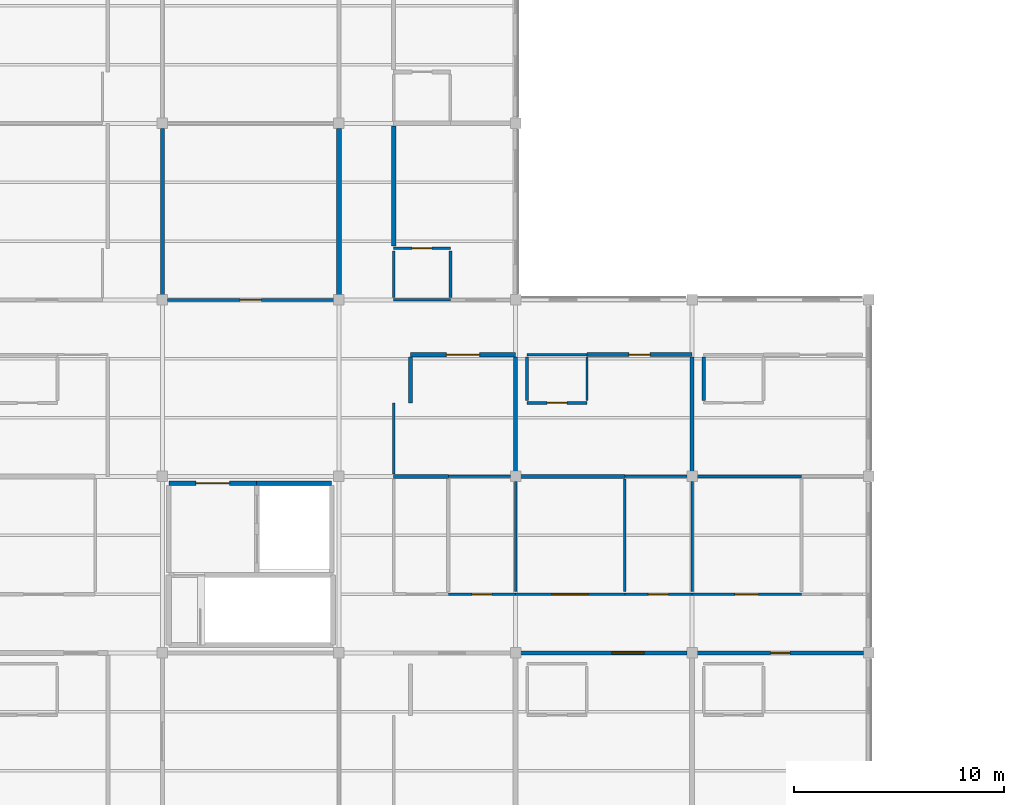
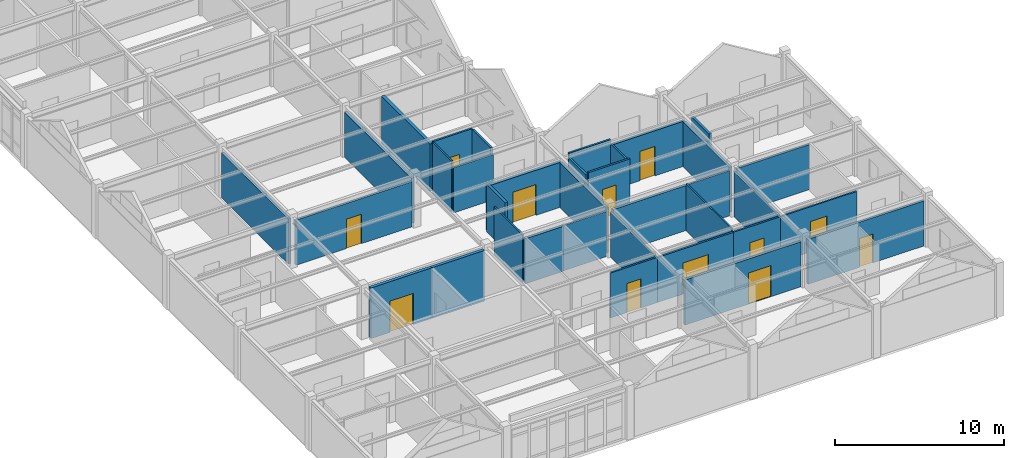
# One storey, part 34 of 45: 35 walls, 12 doors, 12 openings.
"""IFC4 building model written with IfcOpenShell, lengths in metres."""

from ifc_helpers import new_model, si_unit, direction, frame, frame_2d, origin, place, context, subcontext, project, spatial, rectangle, extrude, material, layer, layer_set, type_object, element, fill, save


model = new_model("IFC4")

# Units and contexts
model_context = context("Model", 3, precision=1e-05, world=origin(), true_north=direction((0.0, 1.0)))
body_context = subcontext(model_context, "Body", "Model", "MODEL_VIEW")
ifc_project = project(units=[si_unit("LENGTHUNIT", "METRE"), si_unit("AREAUNIT", "SQUARE_METRE"), si_unit("VOLUMEUNIT", "CUBIC_METRE"), si_unit("PLANEANGLEUNIT", "RADIAN"), si_unit("MASSUNIT", "GRAM", prefix="KILO")], contexts=[model_context])

# Site, building, storey
site_placement = place(None, origin())
site = spatial("IfcSite", under=ifc_project, at=site_placement, CompositionType="ELEMENT")
building_placement = place(site_placement, origin())
building = spatial("IfcBuilding", under=site, at=building_placement, Name="Bramfleet General Hospital", CompositionType="ELEMENT")
storey_placement = place(building_placement, frame((0.0, 0.0, 30.300048828125)))
storey = spatial("IfcBuildingStorey", under=building, at=storey_placement, Name="L07", CompositionType="ELEMENT", Elevation=30.300048828125)

# Wall, opening, door
ifc_material_1 = material(Name="Concrete C35/45", Category="concrete")
ifc_layer_1 = layer(ifc_material_1, 0.219970703125, Name="WT-IW-01")
ifc_layer_set_1 = layer_set([ifc_layer_1], Name="Concrete C35/45")
wall_type_1 = type_object("IfcWallType", Name="WT-IW-01", PredefinedType="PARTITIONING", material=ifc_layer_set_1)
wall_1_placement = place(storey_placement, frame((112.60009765625, 22.60009765625, 0.0), z_axis=(0.0, 0.0, 1.0), x_axis=(1.0, 0.0, 0.0)))
wall_1 = element("IfcWall", 1, at=wall_1_placement, inside=storey, type_object=wall_type_1, Name="L07 Interior Partition IW-L07-4153", PredefinedType="PARTITIONING", context=body_context, shape_type="SweptSolid", body=[
    extrude(rectangle(XDim=5.0, YDim=0.219970703125, at=frame_2d((2.5, 0.0))), origin(), (0.0, 0.0, 1.0), 3.25),
])
opening_1_placement = place(wall_1_placement, frame((1.7099609375, 0.0, 0.0)))
opening_1 = element("IfcOpeningElement", 2, at=opening_1_placement, cuts=wall_1, Name="Opening D1568", PredefinedType="OPENING", context=body_context, shape_type="SweptSolid", body=[
    extrude(rectangle(XDim=1.580078125, YDim=2.219970703125, at=frame_2d((0.7900390625, 1.10986328125))), frame((0.0, 0.119873046875, 0.0), z_axis=(0.0, -1.0, 0.0), x_axis=(1.0, 0.0, 0.0)), (0.0, 0.0, 1.0), 0.239990234375),
])
ifc_material_2 = material(Name="Stainless steel and acoustic timber leaf", Category="steel")
door_type_1 = type_object("IfcDoorType", Name="DR-D-32", OperationType="NOTDEFINED", PredefinedType="DOOR", material=ifc_material_2)
door_1_placement = place(opening_1_placement, origin())
door_1 = element("IfcDoor", 3, at=door_1_placement, inside=storey, type_object=door_type_1, Name="Gabled Patient House PH-06 Bedroom 1302 Door D1568", OperationType="DOUBLE_SWING_LEFT", OverallHeight=2.219970703125, OverallWidth=1.580078125, PredefinedType="DOOR", context=body_context, shape_type="SweptSolid", body=[
    extrude(rectangle(XDim=1.580078125, YDim=2.219970703125, at=frame_2d((0.7900390625, 1.10986328125))), frame((0.0, 0.02490234375, 0.0), z_axis=(0.0, -1.0, 0.0), x_axis=(1.0, 0.0, 0.0)), (0.0, 0.0, 1.0), 0.050048828125),
])
fill(opening_1, door_1)

# Walls
wall_2_placement = place(storey_placement, frame((109.199951171875, 25.445068359375, 0.0), z_axis=(0.0, 0.0, 1.0), x_axis=(0.0, 1.0, 0.0)))
element("IfcWall", 4, at=wall_2_placement, inside=storey, type_object=wall_type_1, Name="L07 Interior Partition IW-L07-4297", PredefinedType="PARTITIONING", context=body_context, shape_type="SweptSolid", body=[
    extrude(rectangle(XDim=7.909912109375, YDim=0.219970703125, at=frame_2d((3.955078125, 0.0))), origin(), (0.0, 0.0, 1.0), 3.25),
])
wall_3_placement = place(storey_placement, frame((111.800048828125, 27.764892578125, 0.0), z_axis=(0.0, 0.0, 1.0), x_axis=(0.0, 1.0, 0.0)))
element("IfcWall", 5, at=wall_3_placement, inside=storey, type_object=wall_type_1, Name="L07 Interior Partition IW-L07-4309", PredefinedType="PARTITIONING", context=body_context, shape_type="SweptSolid", body=[
    extrude(rectangle(XDim=5.72021484375, YDim=0.219970703125, at=frame_2d((2.860107421875, 0.0))), origin(), (0.0, 0.0, 1.0), 3.409912109375),
])
ifc_layer_2 = layer(ifc_material_1, 0.205078125, Name="WT-IW-02")
ifc_layer_set_2 = layer_set([ifc_layer_2], Name="Concrete C35/45")
wall_type_2 = type_object("IfcWallType", Name="WT-IW-02", PredefinedType="PARTITIONING", material=ifc_layer_set_2)
wall_4_placement = place(storey_placement, frame((105.280029296875, 16.47998046875, 0.0), z_axis=(0.0, 0.0, 1.0), x_axis=(1.0, 0.0, 0.0)))
element("IfcWall", 6, at=wall_4_placement, inside=storey, type_object=wall_type_2, Name="L07 C3 Lift Shaft North Wall", PredefinedType="PARTITIONING", context=body_context, shape_type="SweptSolid", body=[
    extrude(rectangle(XDim=3.570068359375, YDim=0.205078125, at=frame_2d((1.78515625, 0.0))), origin(), (0.0, 0.0, 1.0), 3.64990234375),
])

# Wall, opening, door
wall_5_placement = place(storey_placement, frame((101.10009765625, 16.47998046875, 0.0), z_axis=(0.0, 0.0, 1.0), x_axis=(1.0, 0.0, 0.0)))
wall_5 = element("IfcWall", 7, at=wall_5_placement, inside=storey, type_object=wall_type_2, Name="L07 C3 Lobby North Compartment Wall", PredefinedType="PARTITIONING", context=body_context, shape_type="SweptSolid", body=[
    extrude(rectangle(XDim=4.179931640625, YDim=0.205078125, at=frame_2d((2.08984375, 0.0))), origin(), (0.0, 0.0, 1.0), 3.64990234375),
])
opening_2_placement = place(wall_5_placement, frame((1.2900390625, 0.0, 0.0)))
opening_2 = element("IfcOpeningElement", 8, at=opening_2_placement, cuts=wall_5, Name="Opening D0036", PredefinedType="OPENING", context=body_context, shape_type="SweptSolid", body=[
    extrude(rectangle(XDim=1.60009765625, YDim=2.25, at=frame_2d((0.800048828125, 1.125))), frame((0.0, 0.112548828125, 0.0), z_axis=(0.0, -1.0, 0.0), x_axis=(1.0, 0.0, 0.0)), (0.0, 0.0, 1.0), 0.22509765625),
])
door_type_2 = type_object("IfcDoorType", Name="DR-D-04", OperationType="NOTDEFINED", PredefinedType="DOOR", material=ifc_material_2)
door_2_placement = place(opening_2_placement, origin())
door_2 = element("IfcDoor", 9, at=door_2_placement, inside=storey, type_object=door_type_2, Name="L07 C3 Lobby Fire Door D0036", OperationType="DOUBLE_SWING_LEFT", OverallHeight=2.25, OverallWidth=1.60009765625, PredefinedType="DOOR", context=body_context, shape_type="SweptSolid", body=[
    extrude(rectangle(XDim=1.60009765625, YDim=2.25, at=frame_2d((0.800048828125, 1.125))), frame((0.0, 0.02490234375, 0.0), z_axis=(0.0, -1.0, 0.0), x_axis=(1.0, 0.0, 0.0)), (0.0, 0.0, 1.0), 0.050048828125),
])
fill(opening_2, door_2)

# Wall
wall_6_placement = place(storey_placement, frame((111.800048828125, 16.800048828125, 0.0), z_axis=(0.0, 0.0, 1.0), x_axis=(1.0, 0.0, 0.0)))
element("IfcWall", 10, at=wall_6_placement, inside=storey, type_object=wall_type_2, Name="L07 Interior Partition IW-L07-4142", PredefinedType="PARTITIONING", context=body_context, shape_type="SweptSolid", body=[
    extrude(rectangle(XDim=2.599853515625, YDim=0.205078125, at=frame_2d((1.2998046875, 0.0))), origin(), (0.0, 0.0, 1.0), 3.25),
])

# Wall, opening, door
ifc_layer_3 = layer(ifc_material_1, 0.18994140625, Name="WT-IW-03")
ifc_layer_set_3 = layer_set([ifc_layer_3], Name="Concrete C35/45")
wall_type_3 = type_object("IfcWallType", Name="WT-IW-03", PredefinedType="PARTITIONING", material=ifc_layer_set_3)
wall_7_placement = place(storey_placement, frame((121.0, 22.60009765625, 0.0), z_axis=(0.0, 0.0, 1.0), x_axis=(1.0, 0.0, 0.0)))
wall_7 = element("IfcWall", 11, at=wall_7_placement, inside=storey, type_object=wall_type_3, Name="L07 Interior Partition IW-L07-4155", PredefinedType="PARTITIONING", context=body_context, shape_type="SweptSolid", body=[
    extrude(rectangle(XDim=5.0, YDim=0.18994140625, at=frame_2d((2.5, 0.0))), origin(), (0.0, 0.0, 1.0), 3.25),
])
opening_3_placement = place(wall_7_placement, frame((1.989990234375, 0.0, 0.0)))
opening_3 = element("IfcOpeningElement", 12, at=opening_3_placement, cuts=wall_7, Name="Opening D1589", PredefinedType="OPENING", context=body_context, shape_type="SweptSolid", body=[
    extrude(rectangle(XDim=1.02001953125, YDim=2.1201171875, at=frame_2d((0.510009765625, 1.06005859375))), frame((0.0, 0.10498046875, 0.0), z_axis=(0.0, -1.0, 0.0), x_axis=(1.0, 0.0, 0.0)), (0.0, 0.0, 1.0), 0.2099609375),
])
door_type_3 = type_object("IfcDoorType", Name="DR-D-21", OperationType="NOTDEFINED", PredefinedType="DOOR", material=ifc_material_2)
door_3_placement = place(opening_3_placement, origin())
door_3 = element("IfcDoor", 13, at=door_3_placement, inside=storey, type_object=door_type_3, Name="Gabled Patient House PH-07 Bedroom 1402 Door D1589", OperationType="SINGLE_SWING_RIGHT", OverallHeight=2.1201171875, OverallWidth=1.02001953125, PredefinedType="DOOR", context=body_context, shape_type="SweptSolid", body=[
    extrude(rectangle(XDim=1.02001953125, YDim=2.1201171875, at=frame_2d((0.510009765625, 1.06005859375))), frame((0.0, 0.02490234375, 0.0), z_axis=(0.0, -1.0, 0.0), x_axis=(1.0, 0.0, 0.0)), (0.0, 0.0, 1.0), 0.050048828125),
])
fill(opening_3, door_3)

# Walls
for number, where, z_axis, x_axis, name in (
    (14, (117.60009765625, 17.044921875, 0.0), (0.0, 0.0, 1.0), (0.0, 1.0, 0.0), "L07 Interior Partition IW-L07-4335"),
    (15, (126.0, 17.044921875, 0.0), (0.0, 0.0, 1.0), (0.0, 1.0, 0.0), "L07 Interior Partition IW-L07-4347"),
):
    element("IfcWall", number, at=place(storey_placement, frame(where, z_axis=z_axis, x_axis=x_axis)), inside=storey, type_object=wall_type_3, Name=name, PredefinedType="PARTITIONING", context=body_context, shape_type="SweptSolid", body=[
        extrude(rectangle(XDim=5.440185546875, YDim=0.18994140625, at=frame_2d((2.72021484375, 0.0))), origin(), (0.0, 0.0, 1.0), 3.25),
    ])

# Wall, opening, door
ifc_layer_4 = layer(ifc_material_1, 0.179931640625, Name="WT-IW-04")
ifc_layer_set_4 = layer_set([ifc_layer_4], Name="Concrete C35/45")
wall_type_4 = type_object("IfcWallType", Name="WT-IW-04", PredefinedType="PARTITIONING", material=ifc_layer_set_4)
wall_8_placement = place(storey_placement, frame((117.844970703125, 8.39990234375, 0.0), z_axis=(0.0, 0.0, 1.0), x_axis=(1.0, 0.0, 0.0)))
wall_8 = element("IfcWall", 16, at=wall_8_placement, inside=storey, type_object=wall_type_4, Name="L07 Interior Partition IW-L07-4132", PredefinedType="PARTITIONING", context=body_context, shape_type="SweptSolid", body=[
    extrude(rectangle(XDim=7.909912109375, YDim=0.179931640625, at=frame_2d((3.955078125, 0.0))), origin(), (0.0, 0.0, 1.0), 3.25),
])
opening_4_placement = place(wall_8_placement, frame((4.33544921875, 0.0, 0.0)))
opening_4 = element("IfcOpeningElement", 17, at=opening_4_placement, cuts=wall_8, Name="Opening D1585", PredefinedType="OPENING", context=body_context, shape_type="SweptSolid", body=[
    extrude(rectangle(XDim=1.5400390625, YDim=2.239990234375, at=frame_2d((0.77001953125, 1.1201171875))), frame((0.0, 0.099853515625, 0.0), z_axis=(0.0, -1.0, 0.0), x_axis=(1.0, 0.0, 0.0)), (0.0, 0.0, 1.0), 0.199951171875),
])
door_type_4 = type_object("IfcDoorType", Name="DR-D-17", OperationType="NOTDEFINED", PredefinedType="DOOR", material=ifc_material_2)
door_4_placement = place(opening_4_placement, origin())
door_4 = element("IfcDoor", 18, at=door_4_placement, inside=storey, type_object=door_type_4, Name="Gabled Patient House PH-07 Bedroom 1400 Door D1585", OperationType="SINGLE_SWING_RIGHT", OverallHeight=2.239990234375, OverallWidth=1.5400390625, PredefinedType="DOOR", context=body_context, shape_type="SweptSolid", body=[
    extrude(rectangle(XDim=1.5400390625, YDim=2.239990234375, at=frame_2d((0.77001953125, 1.1201171875))), frame((0.0, 0.02490234375, 0.0), z_axis=(0.0, -1.0, 0.0), x_axis=(1.0, 0.0, 0.0)), (0.0, 0.0, 1.0), 0.050048828125),
])
fill(opening_4, door_4)

# Walls
wall_9_placement = place(storey_placement, frame((117.844970703125, 16.800048828125, 0.0), z_axis=(0.0, 0.0, 1.0), x_axis=(1.0, 0.0, 0.0)))
element("IfcWall", 19, at=wall_9_placement, inside=storey, type_object=wall_type_4, Name="L07 Interior Partition IW-L07-4144", PredefinedType="PARTITIONING", context=body_context, shape_type="SweptSolid", body=[
    extrude(rectangle(XDim=4.955078125, YDim=0.179931640625, at=frame_2d((2.4775390625, 0.0))), origin(), (0.0, 0.0, 1.0), 3.25),
])
wall_10_placement = place(storey_placement, frame((100.800048828125, 25.445068359375, 0.0), z_axis=(0.0, 0.0, 1.0), x_axis=(0.0, 1.0, 0.0)))
element("IfcWall", 20, at=wall_10_placement, inside=storey, type_object=wall_type_4, Name="L07 Interior Partition IW-L07-4288", PredefinedType="PARTITIONING", context=body_context, shape_type="SweptSolid", body=[
    extrude(rectangle(XDim=7.909912109375, YDim=0.179931640625, at=frame_2d((3.955078125, 0.0))), origin(), (0.0, 0.0, 1.0), 3.25),
])
wall_11_placement = place(storey_placement, frame((112.60009765625, 20.300048828125, 0.0), z_axis=(0.0, 0.0, 1.0), x_axis=(0.0, 1.0, 0.0)))
element("IfcWall", 21, at=wall_11_placement, inside=storey, type_object=wall_type_4, Name="L07 Interior Partition IW-L07-4324", PredefinedType="PARTITIONING", context=body_context, shape_type="SweptSolid", body=[
    extrude(rectangle(XDim=2.18505859375, YDim=0.179931640625, at=frame_2d((1.092529296875, 0.0))), origin(), (0.0, 0.0, 1.0), 3.409912109375),
])

# Wall, opening, door
ifc_material_3 = material(Name="Gypsum plasterboard on acoustic steel studs", Category="steel")
ifc_layer_5 = layer(ifc_material_3, 0.169921875, Name="WT-IW-05")
ifc_layer_set_5 = layer_set([ifc_layer_5], Name="Gypsum plasterboard on acoustic steel studs")
wall_type_5 = type_object("IfcWallType", Name="WT-IW-05", PredefinedType="PARTITIONING", material=ifc_layer_set_5)
wall_12_placement = place(storey_placement, frame((126.2451171875, 8.39990234375, 0.0), z_axis=(0.0, 0.0, 1.0), x_axis=(1.0, 0.0, 0.0)))
wall_12 = element("IfcWall", 22, at=wall_12_placement, inside=storey, type_object=wall_type_5, Name="L07 Interior Partition IW-L07-4133", PredefinedType="PARTITIONING", context=body_context, shape_type="SweptSolid", body=[
    extrude(rectangle(XDim=7.909912109375, YDim=0.169921875, at=frame_2d((3.955078125, 0.0))), origin(), (0.0, 0.0, 1.0), 3.25),
])
opening_5_placement = place(wall_12_placement, frame((3.4951171875, 0.0, 0.0)))
opening_5 = element("IfcOpeningElement", 23, at=opening_5_placement, cuts=wall_12, Name="Opening D1593", PredefinedType="OPENING", context=body_context, shape_type="SweptSolid", body=[
    extrude(rectangle(XDim=0.919921875, YDim=2.080078125, at=frame_2d((0.4599609375, 1.0400390625))), frame((0.0, 0.094970703125, 0.0), z_axis=(0.0, -1.0, 0.0), x_axis=(1.0, 0.0, 0.0)), (0.0, 0.0, 1.0), 0.18994140625),
])
door_type_5 = type_object("IfcDoorType", Name="DR-D-25", OperationType="NOTDEFINED", PredefinedType="DOOR", material=ifc_material_2)
door_5_placement = place(opening_5_placement, origin())
door_5 = element("IfcDoor", 24, at=door_5_placement, inside=storey, type_object=door_type_5, Name="Gabled Patient House PH-08 Bedroom 1500 Door D1593", OperationType="SINGLE_SWING_RIGHT", OverallHeight=2.080078125, OverallWidth=0.919921875, PredefinedType="DOOR", context=body_context, shape_type="SweptSolid", body=[
    extrude(rectangle(XDim=0.919921875, YDim=2.080078125, at=frame_2d((0.4599609375, 1.0400390625))), frame((0.0, 0.02490234375, 0.0), z_axis=(0.0, -1.0, 0.0), x_axis=(1.0, 0.0, 0.0)), (0.0, 0.0, 1.0), 0.050048828125),
])
fill(opening_5, door_5)

# Walls
wall_13_placement = place(storey_placement, frame((126.550048828125, 20.4150390625, 0.0), z_axis=(0.0, 0.0, 1.0), x_axis=(0.0, 1.0, 0.0)))
element("IfcWall", 25, at=wall_13_placement, inside=storey, type_object=wall_type_5, Name="L07 Interior Partition IW-L07-4349", PredefinedType="PARTITIONING", context=body_context, shape_type="SweptSolid", body=[
    extrude(rectangle(XDim=2.070068359375, YDim=0.169921875, at=frame_2d((1.03515625, 0.0))), origin(), (0.0, 0.0, 1.0), 3.409912109375),
])
ifc_layer_6 = layer(ifc_material_3, 0.159912109375, Name="WT-IW-06")
ifc_layer_set_6 = layer_set([ifc_layer_6], Name="Gypsum plasterboard on acoustic steel studs")
wall_type_6 = type_object("IfcWallType", Name="WT-IW-06", PredefinedType="PARTITIONING", material=ifc_layer_set_6)
wall_14_placement = place(storey_placement, frame((126.2451171875, 16.800048828125, 0.0), z_axis=(0.0, 0.0, 1.0), x_axis=(1.0, 0.0, 0.0)))
element("IfcWall", 26, at=wall_14_placement, inside=storey, type_object=wall_type_6, Name="L07 Interior Partition IW-L07-4146", PredefinedType="PARTITIONING", context=body_context, shape_type="SweptSolid", body=[
    extrude(rectangle(XDim=4.954833984375, YDim=0.159912109375, at=frame_2d((2.4775390625, 0.0))), origin(), (0.0, 0.0, 1.0), 3.25),
])

# Wall, opening, door
ifc_layer_7 = layer(ifc_material_3, 0.14990234375, Name="WT-IW-07")
ifc_layer_set_7 = layer_set([ifc_layer_7], Name="Gypsum plasterboard on acoustic steel studs")
wall_type_7 = type_object("IfcWallType", Name="WT-IW-07", PredefinedType="PARTITIONING", material=ifc_layer_set_7)
wall_15_placement = place(storey_placement, frame((101.044921875, 25.199951171875, 0.0), z_axis=(0.0, 0.0, 1.0), x_axis=(1.0, 0.0, 0.0)))
wall_15 = element("IfcWall", 27, at=wall_15_placement, inside=storey, type_object=wall_type_7, Name="L07 Interior Partition IW-L07-4159", PredefinedType="PARTITIONING", context=body_context, shape_type="SweptSolid", body=[
    extrude(rectangle(XDim=7.91015625, YDim=0.14990234375, at=frame_2d((3.955078125, 0.0))), origin(), (0.0, 0.0, 1.0), 3.25),
])
opening_6_placement = place(wall_15_placement, frame((3.445068359375, 0.0, 0.0)))
opening_6 = element("IfcOpeningElement", 28, at=opening_6_placement, cuts=wall_15, Name="Opening D1557", PredefinedType="OPENING", context=body_context, shape_type="SweptSolid", body=[
    extrude(rectangle(XDim=1.02001953125, YDim=2.1201171875, at=frame_2d((0.510009765625, 1.06005859375))), frame((0.0, 0.0849609375, 0.0), z_axis=(0.0, -1.0, 0.0), x_axis=(1.0, 0.0, 0.0)), (0.0, 0.0, 1.0), 0.169921875),
])
door_6_placement = place(opening_6_placement, origin())
door_6 = element("IfcDoor", 29, at=door_6_placement, inside=storey, type_object=door_type_3, Name="Patient House Clean Support Room L07-1203 Door D1557", OperationType="SINGLE_SWING_RIGHT", OverallHeight=2.1201171875, OverallWidth=1.02001953125, PredefinedType="DOOR", context=body_context, shape_type="SweptSolid", body=[
    extrude(rectangle(XDim=1.02001953125, YDim=2.1201171875, at=frame_2d((0.510009765625, 1.06005859375))), frame((0.0, 0.02490234375, 0.0), z_axis=(0.0, -1.0, 0.0), x_axis=(1.0, 0.0, 0.0)), (0.0, 0.0, 1.0), 0.050048828125),
])
fill(opening_6, door_6)

# Wall
ifc_layer_8 = layer(ifc_material_3, 0.139892578125, Name="WT-IW-08")
ifc_layer_set_8 = layer_set([ifc_layer_8], Name="Gypsum plasterboard on acoustic steel studs")
wall_type_8 = type_object("IfcWallType", Name="WT-IW-08", PredefinedType="PARTITIONING", material=ifc_layer_set_8)
wall_16_placement = place(storey_placement, frame((114.5, 25.31494140625, 0.0), z_axis=(0.0, 0.0, 1.0), x_axis=(0.0, 1.0, 0.0)))
element("IfcWall", 30, at=wall_16_placement, inside=storey, type_object=wall_type_8, Name="L07 Interior Partition IW-L07-4328", PredefinedType="PARTITIONING", context=body_context, shape_type="SweptSolid", body=[
    extrude(rectangle(XDim=2.219970703125, YDim=0.139892578125, at=frame_2d((1.10986328125, 0.0))), origin(), (0.0, 0.0, 1.0), 3.64990234375),
])

# Wall, opening, door
ifc_layer_9 = layer(ifc_material_3, 0.1298828125, Name="WT-IW-09")
ifc_layer_set_9 = layer_set([ifc_layer_9], Name="Gypsum plasterboard on acoustic steel studs")
wall_type_9 = type_object("IfcWallType", Name="WT-IW-09", PredefinedType="PARTITIONING", material=ifc_layer_set_9)
wall_17_placement = place(storey_placement, frame((117.60009765625, 11.199951171875, 0.0), z_axis=(0.0, 0.0, 1.0), x_axis=(1.0, 0.0, 0.0)))
wall_17 = element("IfcWall", 31, at=wall_17_placement, inside=storey, type_object=wall_type_9, Name="L07 Interior Partition IW-L07-4137", PredefinedType="PARTITIONING", context=body_context, shape_type="SweptSolid", body=[
    extrude(rectangle(XDim=5.199951171875, YDim=0.1298828125, at=frame_2d((2.60009765625, 0.0))), origin(), (0.0, 0.0, 1.0), 3.25),
])
opening_7_placement = place(wall_17_placement, frame((1.72998046875, 0.0, 0.0)))
opening_7 = element("IfcOpeningElement", 32, at=opening_7_placement, cuts=wall_17, Name="Opening D1587", PredefinedType="OPENING", context=body_context, shape_type="SweptSolid", body=[
    extrude(rectangle(XDim=1.739990234375, YDim=2.239990234375, at=frame_2d((0.8701171875, 1.1201171875))), frame((0.0, 0.074951171875, 0.0), z_axis=(0.0, -1.0, 0.0), x_axis=(1.0, 0.0, 0.0)), (0.0, 0.0, 1.0), 0.14990234375),
])
door_type_6 = type_object("IfcDoorType", Name="DR-D-19", OperationType="NOTDEFINED", PredefinedType="DOOR", material=ifc_material_2)
door_7_placement = place(opening_7_placement, origin())
door_7 = element("IfcDoor", 33, at=door_7_placement, inside=storey, type_object=door_type_6, Name="Flat-Link Nurse Station and Medication Hub L07-1401 Door D1587", OperationType="DOUBLE_SWING_RIGHT", OverallHeight=2.239990234375, OverallWidth=1.739990234375, PredefinedType="DOOR", context=body_context, shape_type="SweptSolid", body=[
    extrude(rectangle(XDim=1.739990234375, YDim=2.239990234375, at=frame_2d((0.8701171875, 1.1201171875))), frame((0.0, 0.02490234375, 0.0), z_axis=(0.0, -1.0, 0.0), x_axis=(1.0, 0.0, 0.0)), (0.0, 0.0, 1.0), 0.050048828125),
])
fill(opening_7, door_7)

wall_18_placement = place(storey_placement, frame((118.14990234375, 20.300048828125, 0.0), z_axis=(0.0, 0.0, 1.0), x_axis=(1.0, 0.0, 0.0)))
wall_18 = element("IfcWall", 34, at=wall_18_placement, inside=storey, type_object=wall_type_9, Name="L07 Interior Partition IW-L07-4149", PredefinedType="PARTITIONING", context=body_context, shape_type="SweptSolid", body=[
    extrude(rectangle(XDim=2.85009765625, YDim=0.1298828125, at=frame_2d((1.425048828125, 0.0))), origin(), (0.0, 0.0, 1.0), 3.64990234375),
])
opening_8_placement = place(wall_18_placement, frame((0.949951171875, 0.0, 0.0)))
opening_8 = element("IfcOpeningElement", 35, at=opening_8_placement, cuts=wall_18, Name="Opening D1590", PredefinedType="OPENING", context=body_context, shape_type="SweptSolid", body=[
    extrude(rectangle(XDim=0.949951171875, YDim=2.10009765625, at=frame_2d((0.47509765625, 1.050048828125))), frame((0.0, 0.074951171875, 0.0), z_axis=(0.0, -1.0, 0.0), x_axis=(1.0, 0.0, 0.0)), (0.0, 0.0, 1.0), 0.14990234375),
])
door_type_7 = type_object("IfcDoorType", Name="DR-D-10", OperationType="NOTDEFINED", PredefinedType="DOOR", material=ifc_material_2)
door_8_placement = place(opening_8_placement, origin())
door_8 = element("IfcDoor", 36, at=door_8_placement, inside=storey, type_object=door_type_7, Name="Patient House PH-07 En-Suite Bathroom 1402 Door D1590", OperationType="SINGLE_SWING_LEFT", OverallHeight=2.10009765625, OverallWidth=0.949951171875, PredefinedType="DOOR", context=body_context, shape_type="SweptSolid", body=[
    extrude(rectangle(XDim=0.949951171875, YDim=2.10009765625, at=frame_2d((0.47509765625, 1.050048828125))), frame((0.0, 0.02490234375, 0.0), z_axis=(0.0, -1.0, 0.0), x_axis=(1.0, 0.0, 0.0)), (0.0, 0.0, 1.0), 0.050048828125),
])
fill(opening_8, door_8)

# Wall
wall_19_placement = place(storey_placement, frame((118.14990234375, 20.4150390625, 0.0), z_axis=(0.0, 0.0, 1.0), x_axis=(0.0, 1.0, 0.0)))
element("IfcWall", 37, at=wall_19_placement, inside=storey, type_object=wall_type_9, Name="L07 Interior Partition IW-L07-4341", PredefinedType="PARTITIONING", context=body_context, shape_type="SweptSolid", body=[
    extrude(rectangle(XDim=2.070068359375, YDim=0.1298828125, at=frame_2d((1.03515625, 0.0))), origin(), (0.0, 0.0, 1.0), 3.409912109375),
])

# Wall, opening, door
ifc_layer_10 = layer(ifc_material_3, 0.1201171875, Name="WT-IW-10")
ifc_layer_set_10 = layer_set([ifc_layer_10], Name="Gypsum plasterboard on acoustic steel studs")
wall_type_10 = type_object("IfcWallType", Name="WT-IW-10", PredefinedType="PARTITIONING", material=ifc_layer_set_10)
wall_20_placement = place(storey_placement, frame((114.39990234375, 11.199951171875, 0.0), z_axis=(0.0, 0.0, 1.0), x_axis=(1.0, 0.0, 0.0)))
wall_20 = element("IfcWall", 38, at=wall_20_placement, inside=storey, type_object=wall_type_10, Name="L07 Interior Partition IW-L07-4136", PredefinedType="PARTITIONING", context=body_context, shape_type="SweptSolid", body=[
    extrude(rectangle(XDim=3.2001953125, YDim=0.1201171875, at=frame_2d((1.60009765625, 0.0))), origin(), (0.0, 0.0, 1.0), 3.25),
])
opening_9_placement = place(wall_20_placement, frame((1.125, 0.0, 0.0)))
opening_9 = element("IfcOpeningElement", 39, at=opening_9_placement, cuts=wall_20, Name="Opening D1567", PredefinedType="OPENING", context=body_context, shape_type="SweptSolid", body=[
    extrude(rectangle(XDim=0.949951171875, YDim=2.10009765625, at=frame_2d((0.47509765625, 1.050048828125))), frame((0.0, 0.070068359375, 0.0), z_axis=(0.0, -1.0, 0.0), x_axis=(1.0, 0.0, 0.0)), (0.0, 0.0, 1.0), 0.14013671875),
])
door_9_placement = place(opening_9_placement, origin())
door_9 = element("IfcDoor", 40, at=door_9_placement, inside=storey, type_object=door_type_7, Name="Level 07 Accessible and Staff WC 1301 Door D1567", OperationType="SINGLE_SWING_LEFT", OverallHeight=2.10009765625, OverallWidth=0.949951171875, PredefinedType="DOOR", context=body_context, shape_type="SweptSolid", body=[
    extrude(rectangle(XDim=0.949951171875, YDim=2.10009765625, at=frame_2d((0.47509765625, 1.050048828125))), frame((0.0, 0.02490234375, 0.0), z_axis=(0.0, -1.0, 0.0), x_axis=(1.0, 0.0, 0.0)), (0.0, 0.0, 1.0), 0.050048828125),
])
fill(opening_9, door_9)

wall_21_placement = place(storey_placement, frame((122.800048828125, 11.199951171875, 0.0), z_axis=(0.0, 0.0, 1.0), x_axis=(1.0, 0.0, 0.0)))
wall_21 = element("IfcWall", 41, at=wall_21_placement, inside=storey, type_object=wall_type_10, Name="L07 Interior Partition IW-L07-4138", PredefinedType="PARTITIONING", context=body_context, shape_type="SweptSolid", body=[
    extrude(rectangle(XDim=3.199951171875, YDim=0.1201171875, at=frame_2d((1.60009765625, 0.0))), origin(), (0.0, 0.0, 1.0), 3.25),
])
opening_10_placement = place(wall_21_placement, frame((1.125, 0.0, 0.0)))
opening_10 = element("IfcOpeningElement", 42, at=opening_10_placement, cuts=wall_21, Name="Opening D1588", PredefinedType="OPENING", context=body_context, shape_type="SweptSolid", body=[
    extrude(rectangle(XDim=0.949951171875, YDim=2.10009765625, at=frame_2d((0.47509765625, 1.050048828125))), frame((0.0, 0.070068359375, 0.0), z_axis=(0.0, -1.0, 0.0), x_axis=(1.0, 0.0, 0.0)), (0.0, 0.0, 1.0), 0.14013671875),
])
door_10_placement = place(opening_10_placement, origin())
door_10 = element("IfcDoor", 43, at=door_10_placement, inside=storey, type_object=door_type_7, Name="Level 07 Accessible and Staff WC 1401 Door D1588", OperationType="SINGLE_SWING_LEFT", OverallHeight=2.10009765625, OverallWidth=0.949951171875, PredefinedType="DOOR", context=body_context, shape_type="SweptSolid", body=[
    extrude(rectangle(XDim=0.949951171875, YDim=2.10009765625, at=frame_2d((0.47509765625, 1.050048828125))), frame((0.0, 0.02490234375, 0.0), z_axis=(0.0, -1.0, 0.0), x_axis=(1.0, 0.0, 0.0)), (0.0, 0.0, 1.0), 0.050048828125),
])
fill(opening_10, door_10)

# Walls
wall_22_placement = place(storey_placement, frame((114.39990234375, 16.800048828125, 0.0), z_axis=(0.0, 0.0, 1.0), x_axis=(1.0, 0.0, 0.0)))
element("IfcWall", 44, at=wall_22_placement, inside=storey, type_object=wall_type_10, Name="L07 Interior Partition IW-L07-4143", PredefinedType="PARTITIONING", context=body_context, shape_type="SweptSolid", body=[
    extrude(rectangle(XDim=2.955078125, YDim=0.1201171875, at=frame_2d((1.4775390625, 0.0))), origin(), (0.0, 0.0, 1.0), 3.25),
])
wall_23_placement = place(storey_placement, frame((122.800048828125, 16.800048828125, 0.0), z_axis=(0.0, 0.0, 1.0), x_axis=(1.0, 0.0, 0.0)))
element("IfcWall", 45, at=wall_23_placement, inside=storey, type_object=wall_type_10, Name="L07 Interior Partition IW-L07-4145", PredefinedType="PARTITIONING", context=body_context, shape_type="SweptSolid", body=[
    extrude(rectangle(XDim=2.954833984375, YDim=0.1201171875, at=frame_2d((1.4775390625, 0.0))), origin(), (0.0, 0.0, 1.0), 3.25),
])
wall_24_placement = place(storey_placement, frame((118.14990234375, 22.60009765625, 0.0), z_axis=(0.0, 0.0, 1.0), x_axis=(1.0, 0.0, 0.0)))
element("IfcWall", 46, at=wall_24_placement, inside=storey, type_object=wall_type_10, Name="L07 Interior Partition IW-L07-4154", PredefinedType="PARTITIONING", context=body_context, shape_type="SweptSolid", body=[
    extrude(rectangle(XDim=2.85009765625, YDim=0.1201171875, at=frame_2d((1.425048828125, 0.0))), origin(), (0.0, 0.0, 1.0), 3.64990234375),
])
wall_25_placement = place(storey_placement, frame((111.800048828125, 25.199951171875, 0.0), z_axis=(0.0, 0.0, 1.0), x_axis=(1.0, 0.0, 0.0)))
element("IfcWall", 47, at=wall_25_placement, inside=storey, type_object=wall_type_10, Name="L07 Interior Partition IW-L07-4160", PredefinedType="PARTITIONING", context=body_context, shape_type="SweptSolid", body=[
    extrude(rectangle(XDim=2.699951171875, YDim=0.1201171875, at=frame_2d((1.35009765625, 0.0))), origin(), (0.0, 0.0, 1.0), 3.25),
])

# Wall, opening, door
wall_26_placement = place(storey_placement, frame((111.800048828125, 27.64990234375, 0.0), z_axis=(0.0, 0.0, 1.0), x_axis=(1.0, 0.0, 0.0)))
wall_26 = element("IfcWall", 48, at=wall_26_placement, inside=storey, type_object=wall_type_10, Name="L07 Interior Partition IW-L07-4162", PredefinedType="PARTITIONING", context=body_context, shape_type="SweptSolid", body=[
    extrude(rectangle(XDim=2.699951171875, YDim=0.1201171875, at=frame_2d((1.35009765625, 0.0))), origin(), (0.0, 0.0, 1.0), 3.64990234375),
])
opening_11_placement = place(wall_26_placement, frame((0.875, 0.0, 0.0)))
opening_11 = element("IfcOpeningElement", 49, at=opening_11_placement, cuts=wall_26, Name="Opening D1570", PredefinedType="OPENING", context=body_context, shape_type="SweptSolid", body=[
    extrude(rectangle(XDim=0.949951171875, YDim=2.10009765625, at=frame_2d((0.47509765625, 1.050048828125))), frame((0.0, 0.070068359375, 0.0), z_axis=(0.0, -1.0, 0.0), x_axis=(1.0, 0.0, 0.0)), (0.0, 0.0, 1.0), 0.14013671875),
])
door_11_placement = place(opening_11_placement, origin())
door_11 = element("IfcDoor", 50, at=door_11_placement, inside=storey, type_object=door_type_7, Name="Patient House PH-09 En-Suite Bathroom 1303 Door D1570", OperationType="SINGLE_SWING_LEFT", OverallHeight=2.10009765625, OverallWidth=0.949951171875, PredefinedType="DOOR", context=body_context, shape_type="SweptSolid", body=[
    extrude(rectangle(XDim=0.949951171875, YDim=2.10009765625, at=frame_2d((0.47509765625, 1.050048828125))), frame((0.0, 0.02490234375, 0.0), z_axis=(0.0, -1.0, 0.0), x_axis=(1.0, 0.0, 0.0)), (0.0, 0.0, 1.0), 0.050048828125),
])
fill(opening_11, door_11)

# Walls
wall_27_placement = place(storey_placement, frame((111.800048828125, 25.31494140625, 0.0), z_axis=(0.0, 0.0, 1.0), x_axis=(0.0, 1.0, 0.0)))
element("IfcWall", 51, at=wall_27_placement, inside=storey, type_object=wall_type_10, Name="L07 Interior Partition IW-L07-4308", PredefinedType="PARTITIONING", context=body_context, shape_type="SweptSolid", body=[
    extrude(rectangle(XDim=2.219970703125, YDim=0.1201171875, at=frame_2d((1.10986328125, 0.0))), origin(), (0.0, 0.0, 1.0), 3.64990234375),
])
for number, where, z_axis, x_axis, name in (
    (52, (117.60009765625, 11.31494140625, 0.0), (0.0, 0.0, 1.0), (0.0, 1.0, 0.0), "L07 Interior Partition IW-L07-4334"),
    (53, (126.0, 11.31494140625, 0.0), (0.0, 0.0, 1.0), (0.0, 1.0, 0.0), "L07 Interior Partition IW-L07-4346"),
):
    element("IfcWall", number, at=place(storey_placement, frame(where, z_axis=z_axis, x_axis=x_axis)), inside=storey, type_object=wall_type_10, Name=name, PredefinedType="PARTITIONING", context=body_context, shape_type="SweptSolid", body=[
        extrude(rectangle(XDim=5.239990234375, YDim=0.1201171875, at=frame_2d((2.6201171875, 0.0))), origin(), (0.0, 0.0, 1.0), 3.25),
    ])

# Wall, opening, door
ifc_layer_11 = layer(ifc_material_3, 0.112060546875, Name="WT-IW-11")
ifc_layer_set_11 = layer_set([ifc_layer_11], Name="Gypsum plasterboard on acoustic steel studs")
wall_type_11 = type_object("IfcWallType", Name="WT-IW-11", PredefinedType="PARTITIONING", material=ifc_layer_set_11)
wall_28_placement = place(storey_placement, frame((126.0, 11.199951171875, 0.0), z_axis=(0.0, 0.0, 1.0), x_axis=(1.0, 0.0, 0.0)))
wall_28 = element("IfcWall", 54, at=wall_28_placement, inside=storey, type_object=wall_type_11, Name="L07 Interior Partition IW-L07-4139", PredefinedType="PARTITIONING", context=body_context, shape_type="SweptSolid", body=[
    extrude(rectangle(XDim=5.199951171875, YDim=0.112060546875, at=frame_2d((2.60009765625, 0.0))), origin(), (0.0, 0.0, 1.0), 3.25),
])
opening_12_placement = place(wall_28_placement, frame((2.0400390625, 0.0, 0.0)))
opening_12 = element("IfcOpeningElement", 55, at=opening_12_placement, cuts=wall_28, Name="Opening D1595", PredefinedType="OPENING", context=body_context, shape_type="SweptSolid", body=[
    extrude(rectangle(XDim=1.1201171875, YDim=2.179931640625, at=frame_2d((0.56005859375, 1.08984375))), frame((0.0, 0.06591796875, 0.0), z_axis=(0.0, -1.0, 0.0), x_axis=(1.0, 0.0, 0.0)), (0.0, 0.0, 1.0), 0.132080078125),
])
door_type_8 = type_object("IfcDoorType", Name="DR-D-27", OperationType="NOTDEFINED", PredefinedType="DOOR", material=ifc_material_2)
door_12_placement = place(opening_12_placement, origin())
door_12 = element("IfcDoor", 56, at=door_12_placement, inside=storey, type_object=door_type_8, Name="Flat-Link Nurse Station and Medication Hub L07-1501 Door D1595", OperationType="SINGLE_SWING_RIGHT", OverallHeight=2.179931640625, OverallWidth=1.1201171875, PredefinedType="DOOR", context=body_context, shape_type="SweptSolid", body=[
    extrude(rectangle(XDim=1.1201171875, YDim=2.179931640625, at=frame_2d((0.56005859375, 1.08984375))), frame((0.0, 0.02490234375, 0.0), z_axis=(0.0, -1.0, 0.0), x_axis=(1.0, 0.0, 0.0)), (0.0, 0.0, 1.0), 0.050048828125),
])
fill(opening_12, door_12)

# Walls
wall_29_placement = place(storey_placement, frame((111.800048828125, 16.9150390625, 0.0), z_axis=(0.0, 0.0, 1.0), x_axis=(0.0, 1.0, 0.0)))
element("IfcWall", 57, at=wall_29_placement, inside=storey, type_object=wall_type_11, Name="L07 Interior Partition IW-L07-4307", PredefinedType="PARTITIONING", context=body_context, shape_type="SweptSolid", body=[
    extrude(rectangle(XDim=3.385009765625, YDim=0.112060546875, at=frame_2d((1.6923828125, 0.0))), origin(), (0.0, 0.0, 1.0), 3.409912109375),
])
wall_30_placement = place(storey_placement, frame((121.0, 20.4150390625, 0.0), z_axis=(0.0, 0.0, 1.0), x_axis=(0.0, 1.0, 0.0)))
element("IfcWall", 58, at=wall_30_placement, inside=storey, type_object=wall_type_11, Name="L07 Interior Partition IW-L07-4343", PredefinedType="PARTITIONING", context=body_context, shape_type="SweptSolid", body=[
    extrude(rectangle(XDim=2.070068359375, YDim=0.112060546875, at=frame_2d((1.03515625, 0.0))), origin(), (0.0, 0.0, 1.0), 3.409912109375),
])
ifc_layer_12 = layer(ifc_material_3, 0.10009765625, Name="WT-IW-12")
ifc_layer_set_12 = layer_set([ifc_layer_12], Name="Gypsum plasterboard on acoustic steel studs")
wall_type_12 = type_object("IfcWallType", Name="WT-IW-12", PredefinedType="PARTITIONING", material=ifc_layer_set_12)
wall_31_placement = place(storey_placement, frame((122.800048828125, 11.31494140625, 0.0), z_axis=(0.0, 0.0, 1.0), x_axis=(0.0, 1.0, 0.0)))
element("IfcWall", 59, at=wall_31_placement, inside=storey, type_object=wall_type_12, Name="L07 Interior Partition IW-L07-4344", PredefinedType="PARTITIONING", context=body_context, shape_type="SweptSolid", body=[
    extrude(rectangle(XDim=5.3701171875, YDim=0.10009765625, at=frame_2d((2.68505859375, 0.0))), origin(), (0.0, 0.0, 1.0), 3.409912109375),
])

save(model, "model.ifc")
